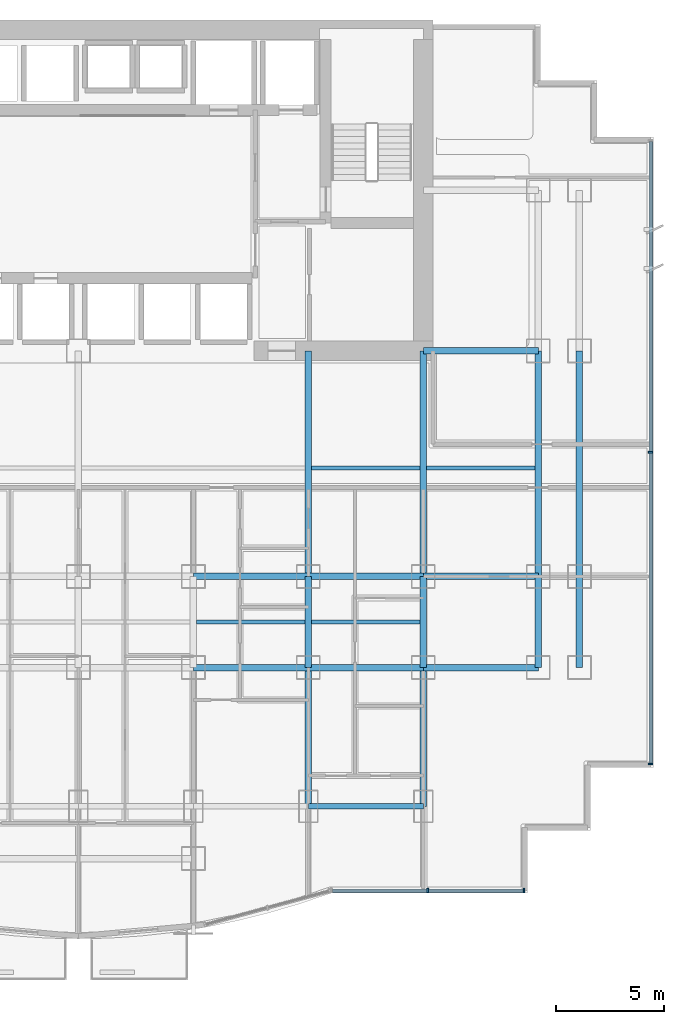
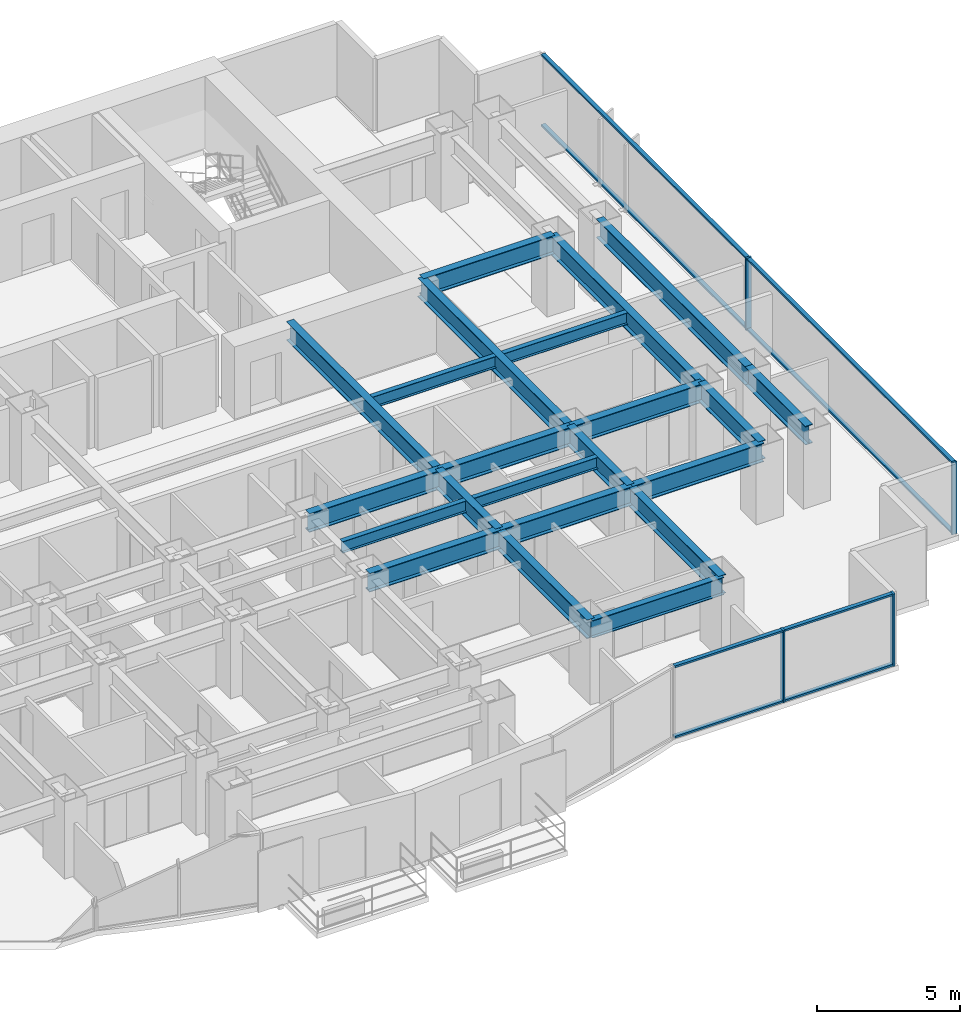
# One storey, part 3 of 12: 22 beams, 12 members, 2 elements without a shape of their own.
"""IFC4 building model written with IfcOpenShell, lengths in metres."""

from ifc_helpers import new_model, si_unit, direction, frame, origin, origin_2d, place, context, subcontext, project, spatial, rectangle, i_section, extrude, source, transform, mapped, material, layer, layer_set, material_profile, profile_set, type_object, element, aggregate, save


model = new_model("IFC4")

# Units and contexts
model_context = context("Model", 3, precision=1e-05, world=origin(), true_north=direction((0.0, 1.0)))
body_context = subcontext(model_context, "Body", "Model", "MODEL_VIEW")
ifc_project = project(units=[si_unit("LENGTHUNIT", "METRE"), si_unit("AREAUNIT", "SQUARE_METRE"), si_unit("VOLUMEUNIT", "CUBIC_METRE"), si_unit("PLANEANGLEUNIT", "RADIAN"), si_unit("MASSUNIT", "GRAM", prefix="KILO")], contexts=[model_context])

# Site, building, storey
site_placement = place(None, origin())
site = spatial("IfcSite", under=ifc_project, at=site_placement, CompositionType="ELEMENT")
building_placement = place(site_placement, origin())
building = spatial("IfcBuilding", under=site, at=building_placement, Name="Qianlan Lanfeng Residences", CompositionType="ELEMENT")
storey_placement = place(building_placement, frame((0.0, 0.0, 63.800048828125)))
storey = spatial("IfcBuildingStorey", under=building, at=storey_placement, Name="L17", CompositionType="ELEMENT", Elevation=63.800048828125)

# Beams
ifc_material_1 = material(Name="Steel SN490B", Category="steel")
ifc_material_profile_1 = material_profile(ifc_material_1, i_section(OverallWidth=0.300048828125, OverallDepth=0.800048828125, WebThickness=0.01611328125, FlangeThickness=0.028076171875, at=origin_2d()), Name="H 800x300x16x28")
ifc_profile_set_1 = profile_set([ifc_material_profile_1], Name="Steel SN490B")
beam_type_1 = type_object("IfcBeamType", Name="G-950", PredefinedType="BEAM", material=ifc_profile_set_1)
beam_1_placement = place(storey_placement, frame((31.800048828125, 10.60009765625, 2.679931640625), z_axis=(1.0, 0.0, 0.0), x_axis=(0.0, 1.0, 0.0)))
element("IfcBeam", 1, at=beam_1_placement, inside=storey, type_object=beam_type_1, Name="Structural beam G-950", PredefinedType="BEAM", context=body_context, shape_type="SweptSolid", body=[
    extrude(i_section(OverallWidth=0.300048828125, OverallDepth=0.800048828125, WebThickness=0.01611328125, FlangeThickness=0.028076171875, at=origin_2d()), origin(), (0.0, 0.0, 1.0), 5.300048828125),
])
beam_2_placement = place(storey_placement, frame((37.10009765625, 10.60009765625, 2.679931640625), z_axis=(1.0, 0.0, 0.0), x_axis=(0.0, 1.0, 0.0)))
element("IfcBeam", 2, at=beam_2_placement, inside=storey, type_object=beam_type_1, Name="Structural beam G-950", PredefinedType="BEAM", context=body_context, shape_type="SweptSolid", body=[
    extrude(i_section(OverallWidth=0.300048828125, OverallDepth=0.800048828125, WebThickness=0.01611328125, FlangeThickness=0.028076171875, at=origin_2d()), origin(), (0.0, 0.0, 1.0), 5.2998046875),
])
for number, where, z_axis, x_axis, name in (
    (3, (42.39990234375, 10.60009765625, 2.679931640625), (1.0, 0.0, 0.0), (0.0, 1.0, 0.0), "Structural beam G-950"),
    (4, (31.800048828125, 14.800048828125, 2.679931640625), (1.0, 0.0, 0.0), (0.0, 1.0, 0.0), "Structural beam G-950"),
):
    element("IfcBeam", number, at=place(storey_placement, frame(where, z_axis=z_axis, x_axis=x_axis)), inside=storey, type_object=beam_type_1, Name=name, PredefinedType="BEAM", context=body_context, shape_type="SweptSolid", body=[
        extrude(i_section(OverallWidth=0.300048828125, OverallDepth=0.800048828125, WebThickness=0.01611328125, FlangeThickness=0.028076171875, at=origin_2d()), origin(), (0.0, 0.0, 1.0), 5.300048828125),
    ])
beam_3_placement = place(storey_placement, frame((37.10009765625, 14.800048828125, 2.679931640625), z_axis=(1.0, 0.0, 0.0), x_axis=(0.0, 1.0, 0.0)))
element("IfcBeam", 5, at=beam_3_placement, inside=storey, type_object=beam_type_1, Name="Structural beam G-950", PredefinedType="BEAM", context=body_context, shape_type="SweptSolid", body=[
    extrude(i_section(OverallWidth=0.300048828125, OverallDepth=0.800048828125, WebThickness=0.01611328125, FlangeThickness=0.028076171875, at=origin_2d()), origin(), (0.0, 0.0, 1.0), 5.2998046875),
])
for number, where, z_axis, x_axis, name in (
    (6, (42.39990234375, 14.800048828125, 2.679931640625), (1.0, 0.0, 0.0), (0.0, 1.0, 0.0), "Structural beam G-950"),
    (7, (42.39990234375, 25.199951171875, 2.679931640625), (1.0, 0.0, 0.0), (0.0, 1.0, 0.0), "Structural beam G-950"),
):
    element("IfcBeam", number, at=place(storey_placement, frame(where, z_axis=z_axis, x_axis=x_axis)), inside=storey, type_object=beam_type_1, Name=name, PredefinedType="BEAM", context=body_context, shape_type="SweptSolid", body=[
        extrude(i_section(OverallWidth=0.300048828125, OverallDepth=0.800048828125, WebThickness=0.01611328125, FlangeThickness=0.028076171875, at=origin_2d()), origin(), (0.0, 0.0, 1.0), 5.300048828125),
    ])
beam_4_placement = place(storey_placement, frame((37.10009765625, 4.199951171875, 2.679931640625), z_axis=(0.0, 1.0, 0.0), x_axis=(-1.0, 0.0, 0.0)))
element("IfcBeam", 8, at=beam_4_placement, inside=storey, type_object=beam_type_1, Name="Structural beam G-950", PredefinedType="BEAM", context=body_context, shape_type="SweptSolid", body=[
    extrude(i_section(OverallWidth=0.300048828125, OverallDepth=0.800048828125, WebThickness=0.01611328125, FlangeThickness=0.028076171875, at=origin_2d()), origin(), (0.0, 0.0, 1.0), 6.400146484375),
])
beam_5_placement = place(storey_placement, frame((37.10009765625, 10.60009765625, 2.679931640625), z_axis=(0.0, 1.0, 0.0), x_axis=(-1.0, 0.0, 0.0)))
element("IfcBeam", 9, at=beam_5_placement, inside=storey, type_object=beam_type_1, Name="Structural beam G-950", PredefinedType="BEAM", context=body_context, shape_type="SweptSolid", body=[
    extrude(i_section(OverallWidth=0.300048828125, OverallDepth=0.800048828125, WebThickness=0.01611328125, FlangeThickness=0.028076171875, at=origin_2d()), origin(), (0.0, 0.0, 1.0), 4.199951171875),
])
beam_6_placement = place(storey_placement, frame((37.10009765625, 14.800048828125, 2.679931640625), z_axis=(0.0, 1.0, 0.0), x_axis=(-1.0, 0.0, 0.0)))
element("IfcBeam", 10, at=beam_6_placement, inside=storey, type_object=beam_type_1, Name="Structural beam G-950", PredefinedType="BEAM", context=body_context, shape_type="SweptSolid", body=[
    extrude(i_section(OverallWidth=0.300048828125, OverallDepth=0.800048828125, WebThickness=0.01611328125, FlangeThickness=0.028076171875, at=origin_2d()), origin(), (0.0, 0.0, 1.0), 10.39990234375),
])
beam_7_placement = place(storey_placement, frame((42.39990234375, 4.199951171875, 2.679931640625), z_axis=(0.0, 1.0, 0.0), x_axis=(-1.0, 0.0, 0.0)))
element("IfcBeam", 11, at=beam_7_placement, inside=storey, type_object=beam_type_1, Name="Structural beam G-950", PredefinedType="BEAM", context=body_context, shape_type="SweptSolid", body=[
    extrude(i_section(OverallWidth=0.300048828125, OverallDepth=0.800048828125, WebThickness=0.01611328125, FlangeThickness=0.028076171875, at=origin_2d()), origin(), (0.0, 0.0, 1.0), 6.400146484375),
])
beam_8_placement = place(storey_placement, frame((42.39990234375, 10.60009765625, 2.679931640625), z_axis=(0.0, 1.0, 0.0), x_axis=(-1.0, 0.0, 0.0)))
element("IfcBeam", 12, at=beam_8_placement, inside=storey, type_object=beam_type_1, Name="Structural beam G-950", PredefinedType="BEAM", context=body_context, shape_type="SweptSolid", body=[
    extrude(i_section(OverallWidth=0.300048828125, OverallDepth=0.800048828125, WebThickness=0.01611328125, FlangeThickness=0.028076171875, at=origin_2d()), origin(), (0.0, 0.0, 1.0), 4.199951171875),
])
beam_9_placement = place(storey_placement, frame((42.39990234375, 14.800048828125, 2.679931640625), z_axis=(0.0, 1.0, 0.0), x_axis=(-1.0, 0.0, 0.0)))
element("IfcBeam", 13, at=beam_9_placement, inside=storey, type_object=beam_type_1, Name="Structural beam G-950", PredefinedType="BEAM", context=body_context, shape_type="SweptSolid", body=[
    extrude(i_section(OverallWidth=0.300048828125, OverallDepth=0.800048828125, WebThickness=0.01611328125, FlangeThickness=0.028076171875, at=origin_2d()), origin(), (0.0, 0.0, 1.0), 10.39990234375),
])
beam_10_placement = place(storey_placement, frame((47.699951171875, 10.60009765625, 2.679931640625), z_axis=(0.0, 1.0, 0.0), x_axis=(-1.0, 0.0, 0.0)))
element("IfcBeam", 14, at=beam_10_placement, inside=storey, type_object=beam_type_1, Name="Structural beam G-950", PredefinedType="BEAM", context=body_context, shape_type="SweptSolid", body=[
    extrude(i_section(OverallWidth=0.300048828125, OverallDepth=0.800048828125, WebThickness=0.01611328125, FlangeThickness=0.028076171875, at=origin_2d()), origin(), (0.0, 0.0, 1.0), 4.199951171875),
])
beam_11_placement = place(storey_placement, frame((47.699951171875, 14.800048828125, 2.679931640625), z_axis=(0.0, 1.0, 0.0), x_axis=(-1.0, 0.0, 0.0)))
element("IfcBeam", 15, at=beam_11_placement, inside=storey, type_object=beam_type_1, Name="Structural beam G-950", PredefinedType="BEAM", context=body_context, shape_type="SweptSolid", body=[
    extrude(i_section(OverallWidth=0.300048828125, OverallDepth=0.800048828125, WebThickness=0.01611328125, FlangeThickness=0.028076171875, at=origin_2d()), origin(), (0.0, 0.0, 1.0), 10.39990234375),
])
beam_12_placement = place(storey_placement, frame((49.60009765625, 10.60009765625, 2.679931640625), z_axis=(0.0, 1.0, 0.0), x_axis=(-1.0, 0.0, 0.0)))
element("IfcBeam", 16, at=beam_12_placement, inside=storey, type_object=beam_type_1, Name="Structural beam G-950", PredefinedType="BEAM", context=body_context, shape_type="SweptSolid", body=[
    extrude(i_section(OverallWidth=0.300048828125, OverallDepth=0.800048828125, WebThickness=0.01611328125, FlangeThickness=0.028076171875, at=origin_2d()), origin(), (0.0, 0.0, 1.0), 4.199951171875),
])
beam_13_placement = place(storey_placement, frame((49.60009765625, 14.800048828125, 2.679931640625), z_axis=(0.0, 1.0, 0.0), x_axis=(-1.0, 0.0, 0.0)))
element("IfcBeam", 17, at=beam_13_placement, inside=storey, type_object=beam_type_1, Name="Structural beam G-950", PredefinedType="BEAM", context=body_context, shape_type="SweptSolid", body=[
    extrude(i_section(OverallWidth=0.300048828125, OverallDepth=0.800048828125, WebThickness=0.01611328125, FlangeThickness=0.028076171875, at=origin_2d()), origin(), (0.0, 0.0, 1.0), 10.39990234375),
])
ifc_material_profile_2 = material_profile(ifc_material_1, i_section(OverallWidth=0.199951171875, OverallDepth=0.5, WebThickness=0.010009765625, FlangeThickness=0.01611328125, at=origin_2d()), Name="H 500x200x10x16")
ifc_profile_set_2 = profile_set([ifc_material_profile_2], Name="Steel SN490B")
beam_type_2 = type_object("IfcBeamType", Name="J-500", PredefinedType="JOIST", material=ifc_profile_set_2)
for number, where, z_axis, x_axis, name in (
    (18, (31.949951171875, 12.699951171875, 2.829833984375), (1.0, 0.0, 0.0), (0.0, 1.0, 0.0), "Structural beam J-500"),
    (19, (37.25, 12.699951171875, 2.829833984375), (1.0, 0.0, 0.0), (0.0, 1.0, 0.0), "Structural beam J-500"),
    (20, (37.25, 19.800048828125, 2.829833984375), (1.0, 0.0, 0.0), (0.0, 1.0, 0.0), "Structural beam J-500"),
    (21, (42.550048828125, 19.800048828125, 2.829833984375), (1.0, 0.0, 0.0), (0.0, 1.0, 0.0), "Structural beam J-500"),
):
    element("IfcBeam", number, at=place(storey_placement, frame(where, z_axis=z_axis, x_axis=x_axis)), inside=storey, type_object=beam_type_2, Name=name, PredefinedType="JOIST", context=body_context, shape_type="SweptSolid", body=[
        extrude(i_section(OverallWidth=0.199951171875, OverallDepth=0.5, WebThickness=0.010009765625, FlangeThickness=0.01611328125, at=origin_2d()), origin(), (0.0, 0.0, 1.0), 5.0),
    ])
ifc_material_profile_3 = material_profile(ifc_material_1, i_section(OverallWidth=0.25, OverallDepth=0.75, WebThickness=0.013916015625, FlangeThickness=0.02490234375, at=origin_2d()), Name="H 750x250x14x25")
ifc_profile_set_3 = profile_set([ifc_material_profile_3], Name="Steel SN490B")
beam_type_3 = type_object("IfcBeamType", Name="SG-850", PredefinedType="SPANDREL", material=ifc_profile_set_3)
beam_14_placement = place(storey_placement, frame((37.10009765625, 4.199951171875, 2.704833984375), z_axis=(1.0, 0.0, 0.0), x_axis=(0.0, 1.0, 0.0)))
element("IfcBeam", 22, at=beam_14_placement, inside=storey, type_object=beam_type_3, Name="Structural beam SG-850", PredefinedType="SPANDREL", context=body_context, shape_type="SweptSolid", body=[
    extrude(i_section(OverallWidth=0.25, OverallDepth=0.75, WebThickness=0.013916015625, FlangeThickness=0.02490234375, at=origin_2d()), origin(), (0.0, 0.0, 1.0), 5.2998046875),
])

# Curtain wall, members
ifc_material_2 = material(Name="Anodised Bronze Aluminium 6063-T6", Category="aluminium")
ifc_layer = layer(ifc_material_2, 0.219970703125)
ifc_layer_set = layer_set([ifc_layer], Name="Anodised Bronze Aluminium 6063-T6")
curtain_wall_type = type_object("IfcCurtainWallType", Name="CW-02", PredefinedType="NOTDEFINED", material=ifc_layer_set)
curtain_wall_1_placement = place(storey_placement, origin())
curtain_wall_1 = element("IfcCurtainWall", 23, at=curtain_wall_1_placement, inside=storey, type_object=curtain_wall_type, Name="L17 Unitised Curtain Wall CWR-L17-04 (CW-02)", PredefinedType="NOTDEFINED")
ifc_material_profile_4 = material_profile(ifc_material_2, rectangle(XDim=0.080078125, YDim=0.159912109375, at=origin_2d()), Name="ALU TRANSOM 80x160")
ifc_profile_set_4 = profile_set([ifc_material_profile_4], Name="Anodised Bronze Aluminium 6063-T6")
member_type_1 = type_object("IfcMemberType", Name="CWT-180", PredefinedType="USERDEFINED", material=ifc_profile_set_4)
shared_shape_1 = source(origin(), body_context, "Body", "SweptSolid", [
    extrude(rectangle(XDim=0.080078125, YDim=0.159912109375, at=origin_2d()), origin(), (0.0, 0.0, 1.0), 4.35498046875),
])
member_1_placement = place(storey_placement, frame((38.2099609375, 0.320068359375, 0.0400390625), z_axis=(1.0, 0.0, 0.0), x_axis=(0.0, 0.0, 1.0)))
member_1 = element("IfcMember", 24, at=member_1_placement, type_object=member_type_1, Name="CWR-L17-04 Transom 1-BOT", ObjectType="TRANSOM", PredefinedType="USERDEFINED", context=body_context, shape_type="MappedRepresentation", body=[
    mapped(shared_shape_1, transform((0.0, 0.0, 0.0), scale=1.0)),
])
member_2_placement = place(storey_placement, frame((38.2099609375, 0.320068359375, 3.0400390625), z_axis=(1.0, 0.0, 0.0), x_axis=(0.0, 0.0, 1.0)))
member_2 = element("IfcMember", 25, at=member_2_placement, type_object=member_type_1, Name="CWR-L17-04 Transom 1-TOP", ObjectType="TRANSOM", PredefinedType="USERDEFINED", context=body_context, shape_type="MappedRepresentation", body=[
    mapped(shared_shape_1, transform((0.0, 0.0, 0.0), scale=1.0)),
])
member_3_placement = place(storey_placement, frame((42.64501953125, 0.320068359375, 0.0400390625), z_axis=(1.0, 0.0, 0.0), x_axis=(0.0, 0.0, 1.0)))
member_3 = element("IfcMember", 26, at=member_3_placement, type_object=member_type_1, Name="CWR-L17-04 Transom 2-BOT", ObjectType="TRANSOM", PredefinedType="USERDEFINED", context=body_context, shape_type="MappedRepresentation", body=[
    mapped(shared_shape_1, transform((0.0, 0.0, 0.0), scale=1.0)),
])
member_4_placement = place(storey_placement, frame((42.64501953125, 0.320068359375, 3.0400390625), z_axis=(1.0, 0.0, 0.0), x_axis=(0.0, 0.0, 1.0)))
member_4 = element("IfcMember", 27, at=member_4_placement, type_object=member_type_1, Name="CWR-L17-04 Transom 2-TOP", ObjectType="TRANSOM", PredefinedType="USERDEFINED", context=body_context, shape_type="MappedRepresentation", body=[
    mapped(shared_shape_1, transform((0.0, 0.0, 0.0), scale=1.0)),
])

curtain_wall_2_placement = place(storey_placement, origin())
curtain_wall_2 = element("IfcCurtainWall", 28, at=curtain_wall_2_placement, inside=storey, type_object=curtain_wall_type, Name="L17 Unitised Curtain Wall CWR-L17-05 (CW-02)", PredefinedType="NOTDEFINED")
shared_shape_2 = source(origin(), body_context, "Body", "SweptSolid", [
    extrude(rectangle(XDim=0.080078125, YDim=0.159912109375, at=origin_2d()), origin(), (0.0, 0.0, 1.0), 14.28515625),
])
member_5_placement = place(storey_placement, frame((52.8798828125, 6.199951171875, 0.0400390625), z_axis=(0.0, 1.0, 0.0), x_axis=(0.0, 0.0, 1.0)))
member_5 = element("IfcMember", 29, at=member_5_placement, type_object=member_type_1, Name="CWR-L17-05 Transom 1-BOT", ObjectType="TRANSOM", PredefinedType="USERDEFINED", context=body_context, shape_type="MappedRepresentation", body=[
    mapped(shared_shape_2, transform((0.0, 0.0, 0.0), scale=1.0)),
])
member_6_placement = place(storey_placement, frame((52.8798828125, 6.199951171875, 3.0400390625), z_axis=(0.0, 1.0, 0.0), x_axis=(0.0, 0.0, 1.0)))
member_6 = element("IfcMember", 30, at=member_6_placement, type_object=member_type_1, Name="CWR-L17-05 Transom 1-TOP", ObjectType="TRANSOM", PredefinedType="USERDEFINED", context=body_context, shape_type="MappedRepresentation", body=[
    mapped(shared_shape_2, transform((0.0, 0.0, 0.0), scale=1.0)),
])
member_7_placement = place(storey_placement, frame((52.8798828125, 20.56494140625, 0.0400390625), z_axis=(0.0, 1.0, 0.0), x_axis=(0.0, 0.0, 1.0)))
member_7 = element("IfcMember", 31, at=member_7_placement, type_object=member_type_1, Name="CWR-L17-05 Transom 2-BOT", ObjectType="TRANSOM", PredefinedType="USERDEFINED", context=body_context, shape_type="MappedRepresentation", body=[
    mapped(shared_shape_2, transform((0.0, 0.0, 0.0), scale=1.0)),
])
member_8_placement = place(storey_placement, frame((52.8798828125, 20.56494140625, 3.0400390625), z_axis=(0.0, 1.0, 0.0), x_axis=(0.0, 0.0, 1.0)))
member_8 = element("IfcMember", 32, at=member_8_placement, type_object=member_type_1, Name="CWR-L17-05 Transom 2-TOP", ObjectType="TRANSOM", PredefinedType="USERDEFINED", context=body_context, shape_type="MappedRepresentation", body=[
    mapped(shared_shape_2, transform((0.0, 0.0, 0.0), scale=1.0)),
])

# Member
ifc_material_profile_5 = material_profile(ifc_material_2, rectangle(XDim=0.080078125, YDim=0.2099609375, at=origin_2d()), Name="ALU MULLION 80x210")
ifc_profile_set_5 = profile_set([ifc_material_profile_5], Name="Anodised Bronze Aluminium 6063-T6")
member_type_2 = type_object("IfcMemberType", Name="CWM-220", PredefinedType="MULLION", material=ifc_profile_set_5)
shared_shape_3 = source(origin(), body_context, "Body", "SweptSolid", [
    extrude(rectangle(XDim=0.080078125, YDim=0.2099609375, at=origin_2d()), origin(), (0.0, 0.0, 1.0), 3.079833984375),
])
member_9_placement = place(storey_placement, frame((42.60498046875, 0.320068359375, 0.0), z_axis=(0.0, 0.0, 1.0), x_axis=(1.0, 0.0, 0.0)))
member_9 = element("IfcMember", 33, at=member_9_placement, type_object=member_type_2, Name="CWR-L17-04 Mullion 2", PredefinedType="MULLION", context=body_context, shape_type="MappedRepresentation", body=[
    mapped(shared_shape_3, transform((0.0, 0.0, 0.0), scale=1.0)),
])

member_10_placement = place(storey_placement, frame((47.0400390625, 0.320068359375, 0.0), z_axis=(0.0, 0.0, 1.0), x_axis=(1.0, 0.0, 0.0)))
member_10 = element("IfcMember", 34, at=member_10_placement, type_object=member_type_2, Name="CWR-L17-04 Mullion 3", PredefinedType="MULLION", context=body_context, shape_type="MappedRepresentation", body=[
    mapped(shared_shape_3, transform((0.0, 0.0, 0.0), scale=1.0)),
])

aggregate(curtain_wall_1, [member_9, member_10, member_1, member_2, member_3, member_4])

member_11_placement = place(storey_placement, frame((52.8798828125, 6.159912109375, 0.0), z_axis=(0.0, 0.0, 1.0), x_axis=(0.0, 1.0, 0.0)))
member_11 = element("IfcMember", 35, at=member_11_placement, type_object=member_type_2, Name="CWR-L17-05 Mullion 1", PredefinedType="MULLION", context=body_context, shape_type="MappedRepresentation", body=[
    mapped(shared_shape_3, transform((0.0, 0.0, 0.0), scale=1.0)),
])

member_12_placement = place(storey_placement, frame((52.8798828125, 20.52490234375, 0.0), z_axis=(0.0, 0.0, 1.0), x_axis=(0.0, 1.0, 0.0)))
member_12 = element("IfcMember", 36, at=member_12_placement, type_object=member_type_2, Name="CWR-L17-05 Mullion 2", PredefinedType="MULLION", context=body_context, shape_type="MappedRepresentation", body=[
    mapped(shared_shape_3, transform((0.0, 0.0, 0.0), scale=1.0)),
])

aggregate(curtain_wall_2, [member_11, member_12, member_5, member_6, member_7, member_8])

save(model, "model.ifc")
